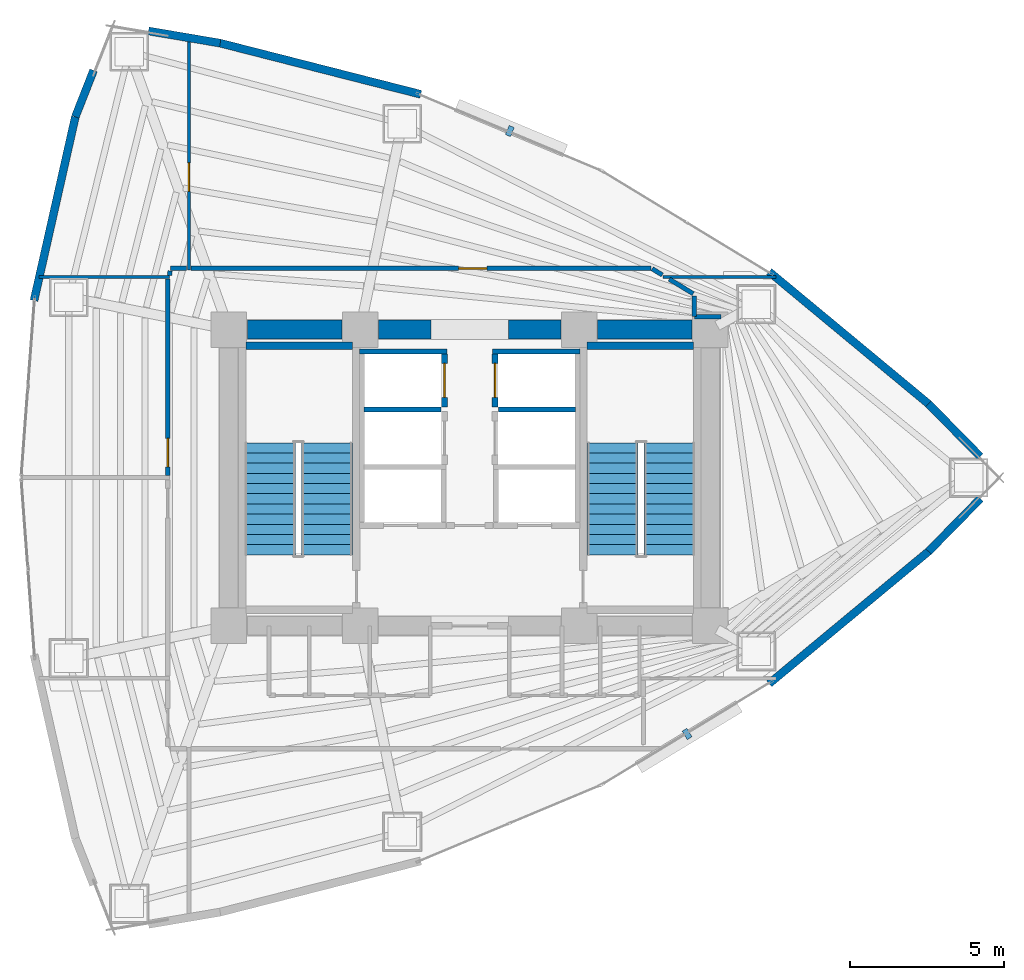
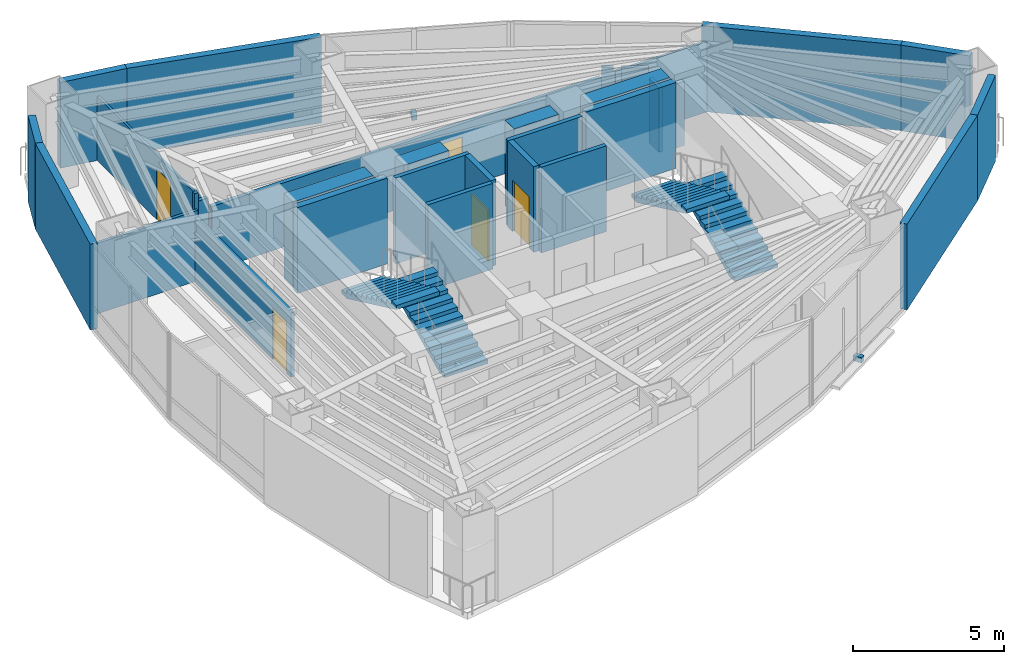
# One storey, part 14 of 16: 31 walls, 5 doors, 4 stair flights, 2 discrete accessories, 5 openings, 2 elements without a shape of their own.
"""IFC4 building model written with IfcOpenShell, lengths in metres."""

from ifc_helpers import new_model, si_unit, direction, frame, frame_2d, origin, origin_2d, place, context, subcontext, project, spatial, polyline, rectangle, outline, extrude, material, layer, layer_set, type_object, element, fill, aggregate, save


model = new_model("IFC4")

# Units and contexts
model_context = context("Model", 3, precision=1e-05, world=origin(), true_north=direction((0.0, 1.0)))
body_context = subcontext(model_context, "Body", "Model", "MODEL_VIEW")
ifc_project = project(units=[si_unit("LENGTHUNIT", "METRE"), si_unit("AREAUNIT", "SQUARE_METRE"), si_unit("VOLUMEUNIT", "CUBIC_METRE"), si_unit("PLANEANGLEUNIT", "RADIAN"), si_unit("MASSUNIT", "GRAM", prefix="KILO")], contexts=[model_context])

# Site, building, storey
site_placement = place(None, origin())
site = spatial("IfcSite", under=ifc_project, at=site_placement, CompositionType="ELEMENT")
building_placement = place(site_placement, origin())
building = spatial("IfcBuilding", under=site, at=building_placement, Name="Menara Vayukalpa", CompositionType="ELEMENT")
storey_placement = place(building_placement, frame((0.0, 0.0, 72.239990234375)))
storey = spatial("IfcBuildingStorey", under=building, at=storey_placement, Name="L17", CompositionType="ELEMENT", Elevation=72.239990234375)

# Walls
ifc_material_1 = material(Name="Concrete C70/85", Category="concrete")
ifc_layer_1 = layer(ifc_material_1, 0.60009765625)
ifc_layer_set_1 = layer_set([ifc_layer_1], Name="Concrete C70/85")
wall_type_1 = type_object("IfcWallType", Name="WAL-CW600", PredefinedType="SHEAR", material=ifc_layer_set_1)
wall_1_placement = place(storey_placement, frame((18.39501953125, 26.800048828125, 0.0), z_axis=(0.0, 0.0, 1.0), x_axis=(1.0, 0.0, 0.0)))
element("IfcWall", 1, at=wall_1_placement, inside=storey, type_object=wall_type_1, Name="L17 Buttressed Core Shear Wall CWN1", PredefinedType="SHEAR", context=body_context, shape_type="SweptSolid", body=[
    extrude(rectangle(XDim=3.06005859375, YDim=0.60009765625, at=frame_2d((1.530029296875, 0.0))), origin(), (0.0, 0.0, 1.0), 3.469970703125),
])
wall_2_placement = place(storey_placement, frame((22.64501953125, 26.800048828125, 0.0), z_axis=(0.0, 0.0, 1.0), x_axis=(1.0, 0.0, 0.0)))
element("IfcWall", 2, at=wall_2_placement, inside=storey, type_object=wall_type_1, Name="L17 Buttressed Core Shear Wall CWN2", PredefinedType="SHEAR", context=body_context, shape_type="SweptSolid", body=[
    extrude(rectangle(XDim=1.705078125, YDim=0.60009765625, at=frame_2d((0.8525390625, 0.0))), origin(), (0.0, 0.0, 1.0), 3.469970703125),
])
wall_3_placement = place(storey_placement, frame((26.85009765625, 26.800048828125, 0.0), z_axis=(0.0, 0.0, 1.0), x_axis=(1.0, 0.0, 0.0)))
element("IfcWall", 3, at=wall_3_placement, inside=storey, type_object=wall_type_1, Name="L17 Buttressed Core Shear Wall CWN3", PredefinedType="SHEAR", context=body_context, shape_type="SweptSolid", body=[
    extrude(rectangle(XDim=1.704833984375, YDim=0.60009765625, at=frame_2d((0.8525390625, 0.0))), origin(), (0.0, 0.0, 1.0), 3.469970703125),
])
wall_4_placement = place(storey_placement, frame((29.7451171875, 26.800048828125, 0.0), z_axis=(0.0, 0.0, 1.0), x_axis=(1.0, 0.0, 0.0)))
element("IfcWall", 4, at=wall_4_placement, inside=storey, type_object=wall_type_1, Name="L17 Buttressed Core Shear Wall CWN4", PredefinedType="SHEAR", context=body_context, shape_type="SweptSolid", body=[
    extrude(rectangle(XDim=3.059814453125, YDim=0.60009765625, at=frame_2d((1.52978515625, 0.0))), origin(), (0.0, 0.0, 1.0), 3.469970703125),
])
ifc_material_2 = material(Name="Insulated Precast Concrete C40/50", Category="concrete")
ifc_layer_2 = layer(ifc_material_2, 0.260009765625)
ifc_layer_set_2 = layer_set([ifc_layer_2], Name="Insulated Precast Concrete C40/50")
wall_type_2 = type_object("IfcWallType", Name="WAL-EXT260", PredefinedType="PARTITIONING", material=ifc_layer_set_2)
for number, where, z_axis, x_axis, name in (
    (5, (42.14111328125, 21.316650390625, 0.0), (0.0, 0.0, 1.0), (-0.700603293449, -0.713550996922, 0.0), "L17 Perimeter Terracotta Pier Wall 01"),
    (6, (40.46337890625, 24.39208984375, 0.0), (0.0, 0.0, 1.0), (0.700603293449, -0.713550996922, 0.0), "L17 Perimeter Terracotta Pier Wall 02"),
):
    element("IfcWall", number, at=place(storey_placement, frame(where, z_axis=z_axis, x_axis=x_axis)), inside=storey, type_object=wall_type_2, Name=name, PredefinedType="PARTITIONING", context=body_context, shape_type="SweptSolid", body=[
        extrude(rectangle(XDim=2.394775390625, YDim=0.260009765625, at=frame_2d((1.197265625, 0.0))), origin(), (0.0, 0.0, 1.0), 3.469970703125),
    ])
wall_5_placement = place(storey_placement, frame((35.30126953125, 28.672119140625, 0.0), z_axis=(0.0, 0.0, 1.0), x_axis=(0.76975316947, -0.638341646841, 0.0)))
element("IfcWall", 7, at=wall_5_placement, inside=storey, type_object=wall_type_2, Name="L17 Perimeter Terracotta Pier Wall 03", PredefinedType="PARTITIONING", context=body_context, shape_type="SweptSolid", body=[
    extrude(rectangle(XDim=6.718017578125, YDim=0.260009765625, at=frame_2d((3.35888671875, 0.0))), origin(), (0.0, 0.0, 1.0), 3.469970703125),
])
wall_6_placement = place(storey_placement, frame((17.504638671875, 36.08056640625, 0.0), z_axis=(0.0, 0.0, 1.0), x_axis=(0.968981437296, -0.247133514876, 0.0)))
element("IfcWall", 8, at=wall_6_placement, inside=storey, type_object=wall_type_2, Name="L17 Perimeter Terracotta Pier Wall 06", PredefinedType="PARTITIONING", context=body_context, shape_type="SweptSolid", body=[
    extrude(rectangle(XDim=6.717529296875, YDim=0.260009765625, at=frame_2d((3.35888671875, 0.0))), origin(), (0.0, 0.0, 1.0), 3.469970703125),
])
wall_7_placement = place(storey_placement, frame((15.19287109375, 36.472412109375, 0.0), z_axis=(0.0, 0.0, 1.0), x_axis=(0.985905269947, -0.167304508875, 0.0)))
element("IfcWall", 9, at=wall_7_placement, inside=storey, type_object=wall_type_2, Name="L17 Perimeter Terracotta Pier Wall 07", PredefinedType="PARTITIONING", context=body_context, shape_type="SweptSolid", body=[
    extrude(rectangle(XDim=2.356689453125, YDim=0.260009765625, at=frame_2d((1.17822265625, 0.0))), origin(), (0.0, 0.0, 1.0), 3.469970703125),
])
wall_8_placement = place(storey_placement, frame((12.822021484375, 33.69140625, 0.0), z_axis=(0.0, 0.0, 1.0), x_axis=(0.365488551504, 0.930815835018, 0.0)))
element("IfcWall", 10, at=wall_8_placement, inside=storey, type_object=wall_type_2, Name="L17 Perimeter Terracotta Pier Wall 08", PredefinedType="PARTITIONING", context=body_context, shape_type="SweptSolid", body=[
    extrude(rectangle(XDim=1.61376953125, YDim=0.260009765625, at=frame_2d((0.806884765625, 0.0))), origin(), (0.0, 0.0, 1.0), 3.469970703125),
])
wall_9_placement = place(storey_placement, frame((11.482421875, 27.73828125, 0.0), z_axis=(0.0, 0.0, 1.0), x_axis=(0.219535044336, 0.975604614743, 0.0)))
element("IfcWall", 11, at=wall_9_placement, inside=storey, type_object=wall_type_2, Name="L17 Perimeter Terracotta Pier Wall 09", PredefinedType="PARTITIONING", context=body_context, shape_type="SweptSolid", body=[
    extrude(rectangle(XDim=6.10205078125, YDim=0.260009765625, at=frame_2d((3.051025390625, 0.0))), origin(), (0.0, 0.0, 1.0), 3.469970703125),
])
wall_10_placement = place(storey_placement, frame((40.472412109375, 19.6162109375, 0.0), z_axis=(0.0, 0.0, 1.0), x_axis=(-0.76975316947, -0.638341646841, 0.0)))
element("IfcWall", 12, at=wall_10_placement, inside=storey, type_object=wall_type_2, Name="L17 Perimeter Terracotta Pier Wall 18", PredefinedType="PARTITIONING", context=body_context, shape_type="SweptSolid", body=[
    extrude(rectangle(XDim=6.718017578125, YDim=0.260009765625, at=frame_2d((3.35888671875, 0.0))), origin(), (0.0, 0.0, 1.0), 3.469970703125),
])
ifc_material_3 = material(Name="Lightweight Concrete Blockwork C16/20", Category="masonry")
ifc_layer_3 = layer(ifc_material_3, 0.159912109375)
ifc_layer_set_3 = layer_set([ifc_layer_3], Name="Lightweight Concrete Blockwork C16/20")
wall_type_3 = type_object("IfcWallType", Name="WAL-FR150", PredefinedType="PARTITIONING", material=ifc_layer_set_3)
wall_11_placement = place(storey_placement, frame((22.179931640625, 24.215087890625, 0.0), z_axis=(0.0, 0.0, 1.0), x_axis=(1.0, 0.0, 0.0)))
element("IfcWall", 13, at=wall_11_placement, inside=storey, type_object=wall_type_3, Name="L17 Interior Partition IW-L17-SHM-W23", PredefinedType="PARTITIONING", context=body_context, shape_type="SweptSolid", body=[
    extrude(rectangle(XDim=2.489990234375, YDim=0.159912109375, at=frame_2d((1.2451171875, 0.0))), origin(), (0.0, 0.0, 1.0), 3.469970703125),
])
wall_12_placement = place(storey_placement, frame((22.030029296875, 26.0849609375, 0.0), z_axis=(0.0, 0.0, 1.0), x_axis=(1.0, 0.0, 0.0)))
element("IfcWall", 14, at=wall_12_placement, inside=storey, type_object=wall_type_3, Name="L17 Interior Partition IW-L17-SHM-W3N", PredefinedType="PARTITIONING", context=body_context, shape_type="SweptSolid", body=[
    extrude(rectangle(XDim=2.830078125, YDim=0.159912109375, at=frame_2d((1.4150390625, 0.0))), origin(), (0.0, 0.0, 1.0), 3.469970703125),
])
wall_13_placement = place(storey_placement, frame((26.530029296875, 24.215087890625, 0.0), z_axis=(0.0, 0.0, 1.0), x_axis=(1.0, 0.0, 0.0)))
element("IfcWall", 15, at=wall_13_placement, inside=storey, type_object=wall_type_3, Name="L17 Interior Partition IW-L17-SHM-E32", PredefinedType="PARTITIONING", context=body_context, shape_type="SweptSolid", body=[
    extrude(rectangle(XDim=2.489990234375, YDim=0.159912109375, at=frame_2d((1.2451171875, 0.0))), origin(), (0.0, 0.0, 1.0), 3.469970703125),
])
wall_14_placement = place(storey_placement, frame((26.340087890625, 26.0849609375, 0.0), z_axis=(0.0, 0.0, 1.0), x_axis=(1.0, 0.0, 0.0)))
element("IfcWall", 16, at=wall_14_placement, inside=storey, type_object=wall_type_3, Name="L17 Interior Partition IW-L17-SHM-E2N", PredefinedType="PARTITIONING", context=body_context, shape_type="SweptSolid", body=[
    extrude(rectangle(XDim=2.829833984375, YDim=0.159912109375, at=frame_2d((1.4150390625, 0.0))), origin(), (0.0, 0.0, 1.0), 3.469970703125),
])

# Wall, opening, door
ifc_material_4 = material(Name="Lightweight Concrete Blockwork C16/20", Category="masonry")
ifc_layer_4 = layer(ifc_material_4, 0.199951171875)
ifc_layer_set_4 = layer_set([ifc_layer_4], Name="Lightweight Concrete Blockwork C16/20")
wall_type_4 = type_object("IfcWallType", Name="WAL-FR200", PredefinedType="PARTITIONING", material=ifc_layer_set_4)
wall_15_placement = place(storey_placement, frame((24.780029296875, 24.2900390625, 0.0), z_axis=(0.0, 0.0, 1.0), x_axis=(0.0, 1.0, 0.0)))
wall_15 = element("IfcWall", 17, at=wall_15_placement, inside=storey, type_object=wall_type_4, Name="L17 Interior Partition IW-L17-SH-W3", PredefinedType="PARTITIONING", context=body_context, shape_type="SweptSolid", body=[
    extrude(rectangle(XDim=1.719970703125, YDim=0.199951171875, at=frame_2d((0.85986328125, 0.0))), origin(), (0.0, 0.0, 1.0), 3.469970703125),
])
opening_1_placement = place(wall_15_placement, frame((0.31005859375, 0.0, 0.0)))
opening_1 = element("IfcOpeningElement", 18, at=opening_1_placement, cuts=wall_15, Name="Opening LD1", PredefinedType="OPENING", context=body_context, shape_type="SweptSolid", body=[
    extrude(rectangle(XDim=1.10009765625, YDim=2.080078125, at=frame_2d((0.550048828125, 1.0400390625))), frame((0.0, 0.10986328125, 0.0), z_axis=(0.0, -1.0, 0.0), x_axis=(1.0, 0.0, 0.0)), (0.0, 0.0, 1.0), 0.219970703125),
])
ifc_material_5 = material(Name="Brushed Stainless Steel 316 Lift Door", Category="steel")
door_type_1 = type_object("IfcDoorType", Name="DR-LD110", OperationType="NOTDEFINED", PredefinedType="DOOR", material=ifc_material_5)
door_1_placement = place(opening_1_placement, origin())
door_1 = element("IfcDoor", 19, at=door_1_placement, inside=storey, type_object=door_type_1, Name="L17 Interior Door DR-L17-LD-W3", OperationType="DOUBLE_DOOR_SLIDING", OverallHeight=2.080078125, OverallWidth=1.10009765625, PredefinedType="DOOR", context=body_context, shape_type="SweptSolid", body=[
    extrude(rectangle(XDim=1.10009765625, YDim=2.080078125, at=frame_2d((0.550048828125, 1.0400390625))), frame((0.0, 0.02490234375, 0.0), z_axis=(0.0, -1.0, 0.0), x_axis=(1.0, 0.0, 0.0)), (0.0, 0.0, 1.0), 0.050048828125),
])
fill(opening_1, door_1)

wall_16_placement = place(storey_placement, frame((26.419921875, 24.2900390625, 0.0), z_axis=(0.0, 0.0, 1.0), x_axis=(0.0, 1.0, 0.0)))
wall_16 = element("IfcWall", 20, at=wall_16_placement, inside=storey, type_object=wall_type_4, Name="L17 Interior Partition IW-L17-SH-E2", PredefinedType="PARTITIONING", context=body_context, shape_type="SweptSolid", body=[
    extrude(rectangle(XDim=1.719970703125, YDim=0.199951171875, at=frame_2d((0.85986328125, 0.0))), origin(), (0.0, 0.0, 1.0), 3.469970703125),
])
opening_2_placement = place(wall_16_placement, frame((0.31005859375, 0.0, 0.0)))
opening_2 = element("IfcOpeningElement", 21, at=opening_2_placement, cuts=wall_16, Name="Opening LD1", PredefinedType="OPENING", context=body_context, shape_type="SweptSolid", body=[
    extrude(rectangle(XDim=1.10009765625, YDim=2.080078125, at=frame_2d((0.550048828125, 1.0400390625))), frame((0.0, 0.10986328125, 0.0), z_axis=(0.0, -1.0, 0.0), x_axis=(1.0, 0.0, 0.0)), (0.0, 0.0, 1.0), 0.219970703125),
])
door_2_placement = place(opening_2_placement, origin())
door_2 = element("IfcDoor", 22, at=door_2_placement, inside=storey, type_object=door_type_1, Name="L17 Interior Door DR-L17-LD-E2", OperationType="DOUBLE_DOOR_SLIDING", OverallHeight=2.080078125, OverallWidth=1.10009765625, PredefinedType="DOOR", context=body_context, shape_type="SweptSolid", body=[
    extrude(rectangle(XDim=1.10009765625, YDim=2.080078125, at=frame_2d((0.550048828125, 1.0400390625))), frame((0.0, 0.02490234375, 0.0), z_axis=(0.0, -1.0, 0.0), x_axis=(1.0, 0.0, 0.0)), (0.0, 0.0, 1.0), 0.050048828125),
])
fill(opening_2, door_2)

ifc_material_6 = material(Name="Glazed Demountable Office Partition", Category="glass")
ifc_layer_5 = layer(ifc_material_6, 0.094970703125)
ifc_layer_set_5 = layer_set([ifc_layer_5], Name="Glazed Demountable Office Partition")
wall_type_5 = type_object("IfcWallType", Name="WAL-PT100", PredefinedType="PARTITIONING", material=ifc_layer_set_5)
wall_17_placement = place(storey_placement, frame((16.5, 28.72998046875, 0.0), z_axis=(0.0, 0.0, 1.0), x_axis=(0.0, 1.0, 0.0)))
wall_17 = element("IfcWall", 23, at=wall_17_placement, inside=storey, type_object=wall_type_5, Name="L17 Interior Partition IW-L17-RDIV02", PredefinedType="PARTITIONING", context=body_context, shape_type="SweptSolid", body=[
    extrude(rectangle(XDim=7.53076171875, YDim=0.094970703125, at=frame_2d((3.765380859375, 0.0))), origin(), (0.0, 0.0, 1.0), 2.60009765625),
])
opening_3_placement = place(wall_17_placement, frame((2.549072265625, 0.0, 0.0)))
opening_3 = element("IfcOpeningElement", 24, at=opening_3_placement, cuts=wall_17, Name="Opening ID6", PredefinedType="OPENING", context=body_context, shape_type="SweptSolid", body=[
    extrude(rectangle(XDim=0.919921875, YDim=2.050048828125, at=frame_2d((0.4599609375, 1.02490234375))), frame((0.0, 0.057373046875, 0.0), z_axis=(0.0, -1.0, 0.0), x_axis=(1.0, 0.0, 0.0)), (0.0, 0.0, 1.0), 0.114990234375),
])
ifc_material_7 = material(Name="Acoustic Hardwood Veneer Timber Door", Category="wood")
door_type_2 = type_object("IfcDoorType", Name="DR-INT92", OperationType="NOTDEFINED", PredefinedType="DOOR", material=ifc_material_7)
door_3_placement = place(opening_3_placement, origin())
door_3 = element("IfcDoor", 25, at=door_3_placement, inside=storey, type_object=door_type_2, Name="L17 Interior Door DR-L17-STE07", OperationType="SINGLE_SWING_RIGHT", OverallHeight=2.050048828125, OverallWidth=0.919921875, PredefinedType="DOOR", context=body_context, shape_type="SweptSolid", body=[
    extrude(rectangle(XDim=0.919921875, YDim=2.050048828125, at=frame_2d((0.4599609375, 1.02490234375))), frame((0.0, 0.02490234375, 0.0), z_axis=(0.0, -1.0, 0.0), x_axis=(1.0, 0.0, 0.0)), (0.0, 0.0, 1.0), 0.050048828125),
])
fill(opening_3, door_3)

# Walls
wall_18_placement = place(storey_placement, frame((31.855712890625, 28.5, 0.0), z_axis=(0.0, 0.0, 1.0), x_axis=(1.0, 0.0, 0.0)))
element("IfcWall", 26, at=wall_18_placement, inside=storey, type_object=wall_type_5, Name="L17 Interior Partition IW-L17-RDIV06", PredefinedType="PARTITIONING", context=body_context, shape_type="SweptSolid", body=[
    extrude(rectangle(XDim=3.668701171875, YDim=0.094970703125, at=frame_2d((1.83447265625, 0.0))), origin(), (0.0, 0.0, 1.0), 2.85009765625),
])
ifc_material_8 = material(Name="Acoustic Mineral Stud Partition", Category="masonry")
ifc_layer_6 = layer(ifc_material_8, 0.110107421875)
ifc_layer_set_6 = layer_set([ifc_layer_6], Name="Acoustic Mineral Stud Partition")
wall_type_6 = type_object("IfcWallType", Name="WAL-PT110", PredefinedType="PARTITIONING", material=ifc_layer_set_6)
wall_19_placement = place(storey_placement, frame((11.6435546875, 28.5, 0.0), z_axis=(0.0, 0.0, 1.0), x_axis=(1.0, 0.0, 0.0)))
element("IfcWall", 27, at=wall_19_placement, inside=storey, type_object=wall_type_6, Name="L17 Interior Partition IW-L17-RDIV05", PredefinedType="PARTITIONING", context=body_context, shape_type="SweptSolid", body=[
    extrude(rectangle(XDim=4.2265625, YDim=0.110107421875, at=frame_2d((2.11328125, 0.0))), origin(), (0.0, 0.0, 1.0), 2.85009765625),
])
ifc_material_9 = material(Name="Gypsum Drywall Acoustic Stud Assembly", Category="masonry")
ifc_layer_7 = layer(ifc_material_9, 0.14501953125)
ifc_layer_set_7 = layer_set([ifc_layer_7], Name="Gypsum Drywall Acoustic Stud Assembly")
wall_type_7 = type_object("IfcWallType", Name="WAL-PT150", PredefinedType="PARTITIONING", material=ifc_layer_set_7)
wall_20_placement = place(storey_placement, frame((33.739990234375, 27.219970703125, 0.0), z_axis=(0.0, 0.0, 1.0), x_axis=(-1.0, 0.0, 0.0)))
element("IfcWall", 28, at=wall_20_placement, inside=storey, type_object=wall_type_7, Name="L17 Interior Partition IW-L17-CRM05-1", PredefinedType="PARTITIONING", context=body_context, shape_type="SweptSolid", body=[
    extrude(rectangle(XDim=0.860107421875, YDim=0.14501953125, at=frame_2d((0.43017578125, 0.0))), origin(), (0.0, 0.0, 1.0), 2.60009765625),
])
wall_21_placement = place(storey_placement, frame((32.8798828125, 27.219970703125, 0.0), z_axis=(0.0, 0.0, 1.0), x_axis=(0.0, 1.0, 0.0)))
element("IfcWall", 29, at=wall_21_placement, inside=storey, type_object=wall_type_7, Name="L17 Interior Partition IW-L17-CRM05-2", PredefinedType="PARTITIONING", context=body_context, shape_type="SweptSolid", body=[
    extrude(rectangle(XDim=0.671142578125, YDim=0.14501953125, at=frame_2d((0.33544921875, 0.0))), origin(), (0.0, 0.0, 1.0), 2.60009765625),
])
wall_22_placement = place(storey_placement, frame((32.841552734375, 27.959716796875, 0.0), z_axis=(0.0, 0.0, 1.0), x_axis=(-0.854770437211, 0.519006261686, 0.0)))
element("IfcWall", 30, at=wall_22_placement, inside=storey, type_object=wall_type_7, Name="L17 Interior Partition IW-L17-CRM05-3", PredefinedType="PARTITIONING", context=body_context, shape_type="SweptSolid", body=[
    extrude(rectangle(XDim=0.906005859375, YDim=0.14501953125, at=frame_2d((0.453125, 0.0))), origin(), (0.0, 0.0, 1.0), 3.0),
])
wall_23_placement = place(storey_placement, frame((31.83984375, 28.568115234375, 0.0), z_axis=(0.0, 0.0, 1.0), x_axis=(-0.854857682939, 0.518862546269, 0.0)))
element("IfcWall", 31, at=wall_23_placement, inside=storey, type_object=wall_type_7, Name="L17 Interior Partition IW-L17-CRM06-1", PredefinedType="PARTITIONING", context=body_context, shape_type="SweptSolid", body=[
    extrude(rectangle(XDim=0.3857421875, YDim=0.14501953125, at=frame_2d((0.19287109375, 0.0))), origin(), (0.0, 0.0, 1.0), 3.0),
])

# Wall, opening, door
wall_24_placement = place(storey_placement, frame((31.468505859375, 28.780029296875, 0.0), z_axis=(0.0, 0.0, 1.0), x_axis=(-1.0, 0.0, 0.0)))
wall_24 = element("IfcWall", 32, at=wall_24_placement, inside=storey, type_object=wall_type_7, Name="L17 Interior Partition IW-L17-CRM06-2", PredefinedType="PARTITIONING", context=body_context, shape_type="SweptSolid", body=[
    extrude(rectangle(XDim=14.8984375, YDim=0.14501953125, at=frame_2d((7.44921875, 0.0))), origin(), (0.0, 0.0, 1.0), 2.60009765625),
])
opening_4_placement = place(wall_24_placement, frame((5.31201171875, 0.0, 0.0)))
opening_4 = element("IfcOpeningElement", 33, at=opening_4_placement, cuts=wall_24, Name="Opening ID6", PredefinedType="OPENING", context=body_context, shape_type="SweptSolid", body=[
    extrude(rectangle(XDim=0.919921875, YDim=2.050048828125, at=frame_2d((0.4599609375, 1.02490234375))), frame((0.0, 0.08251953125, 0.0), z_axis=(0.0, -1.0, 0.0), x_axis=(1.0, 0.0, 0.0)), (0.0, 0.0, 1.0), 0.1650390625),
])
door_4_placement = place(opening_4_placement, origin())
door_4 = element("IfcDoor", 34, at=door_4_placement, inside=storey, type_object=door_type_2, Name="L17 Interior Door DR-L17-RM06", OperationType="SINGLE_SWING_RIGHT", OverallHeight=2.050048828125, OverallWidth=0.919921875, PredefinedType="DOOR", context=body_context, shape_type="SweptSolid", body=[
    extrude(rectangle(XDim=0.919921875, YDim=2.050048828125, at=frame_2d((0.4599609375, 1.02490234375))), frame((0.0, 0.02490234375, 0.0), z_axis=(0.0, -1.0, 0.0), x_axis=(1.0, 0.0, 0.0)), (0.0, 0.0, 1.0), 0.050048828125),
])
fill(opening_4, door_4)

# Wall
wall_25_placement = place(storey_placement, frame((16.429931640625, 28.780029296875, 0.0), z_axis=(0.0, 0.0, 1.0), x_axis=(-1.0, 0.0, 0.0)))
element("IfcWall", 35, at=wall_25_placement, inside=storey, type_object=wall_type_7, Name="L17 Interior Partition IW-L17-CRM07-1", PredefinedType="PARTITIONING", context=body_context, shape_type="SweptSolid", body=[
    extrude(rectangle(XDim=0.530029296875, YDim=0.14501953125, at=frame_2d((0.26513671875, 0.0))), origin(), (0.0, 0.0, 1.0), 3.0),
])

# Wall, opening, door
wall_26_placement = place(storey_placement, frame((15.820068359375, 28.429931640625, 0.0), z_axis=(0.0, 0.0, 1.0), x_axis=(0.0, -1.0, 0.0)))
wall_26 = element("IfcWall", 36, at=wall_26_placement, inside=storey, type_object=wall_type_7, Name="L17 Interior Partition IW-L17-CRM08-1", PredefinedType="PARTITIONING", context=body_context, shape_type="SweptSolid", body=[
    extrude(rectangle(XDim=6.35986328125, YDim=0.14501953125, at=frame_2d((3.179931640625, 0.0))), origin(), (0.0, 0.0, 1.0), 2.60009765625),
])
opening_5_placement = place(wall_26_placement, frame((5.159912109375, 0.0, 0.0)))
opening_5 = element("IfcOpeningElement", 37, at=opening_5_placement, cuts=wall_26, Name="Opening ID6", PredefinedType="OPENING", context=body_context, shape_type="SweptSolid", body=[
    extrude(rectangle(XDim=0.919921875, YDim=2.050048828125, at=frame_2d((0.4599609375, 1.02490234375))), frame((0.0, 0.08251953125, 0.0), z_axis=(0.0, -1.0, 0.0), x_axis=(1.0, 0.0, 0.0)), (0.0, 0.0, 1.0), 0.1650390625),
])
door_5_placement = place(opening_5_placement, origin())
door_5 = element("IfcDoor", 38, at=door_5_placement, inside=storey, type_object=door_type_2, Name="L17 Interior Door DR-L17-RM08", OperationType="SINGLE_SWING_LEFT", OverallHeight=2.050048828125, OverallWidth=0.919921875, PredefinedType="DOOR", context=body_context, shape_type="SweptSolid", body=[
    extrude(rectangle(XDim=0.919921875, YDim=2.050048828125, at=frame_2d((0.4599609375, 1.02490234375))), frame((0.0, 0.02490234375, 0.0), z_axis=(0.0, -1.0, 0.0), x_axis=(1.0, 0.0, 0.0)), (0.0, 0.0, 1.0), 0.050048828125),
])
fill(opening_5, door_5)

# Walls
wall_27_placement = place(storey_placement, frame((15.8916015625, 28.700439453125, 0.0), z_axis=(0.0, 0.0, 1.0), x_axis=(-0.107955324157, -0.994155746343, 0.0)))
element("IfcWall", 39, at=wall_27_placement, inside=storey, type_object=wall_type_7, Name="L17 Interior Partition IW-L17-CRM07-1-R1", PredefinedType="PARTITIONING", context=body_context, shape_type="SweptSolid", body=[
    extrude(rectangle(XDim=0.151611328125, YDim=0.14501953125, at=frame_2d((0.07568359375, 0.0))), origin(), (0.0, 0.0, 1.0), 3.469970703125),
])
ifc_material_10 = material(Name="Concrete C50/60", Category="concrete")
ifc_layer_8 = layer(ifc_material_10, 0.25)
ifc_layer_set_8 = layer_set([ifc_layer_8], Name="Concrete C50/60")
wall_type_8 = type_object("IfcWallType", Name="WAL-SW250", PredefinedType="SHEAR", material=ifc_layer_set_8)
for number, where, z_axis, x_axis, name in (
    (40, (18.35400390625, 26.27490234375, 0.0), (0.0, 0.0, 1.0), (1.0, 0.0, 0.0), "L17 ST1 Structural Stair Shaft Wall N"),
    (41, (29.39990234375, 26.27490234375, 0.0), (0.0, 0.0, 1.0), (1.0, 0.0, 0.0), "L17 ST2 Structural Stair Shaft Wall N"),
):
    element("IfcWall", number, at=place(storey_placement, frame(where, z_axis=z_axis, x_axis=x_axis)), inside=storey, type_object=wall_type_8, Name=name, PredefinedType="SHEAR", context=body_context, shape_type="SweptSolid", body=[
        extrude(rectangle(XDim=3.446044921875, YDim=0.25, at=frame_2d((1.72314453125, 0.0))), origin(), (0.0, 0.0, 1.0), 3.469970703125),
    ])

# Stair, stair flights
ifc_material_11 = material(Name="Precast Concrete C40/50", Category="concrete")
stair_type = type_object("IfcStairType", Name="STR-T04", PredefinedType="DOUBLE_RETURN_STAIR", material=ifc_material_11)
stair_1_placement = place(storey_placement, origin())
stair_1 = element("IfcStair", 42, at=stair_1_placement, inside=storey, type_object=stair_type, Name="L17 Core Exit Stair ST-1", PredefinedType="DOUBLE_RETURN_STAIR")
ifc_material_12 = material(Name="Precast Concrete C40/50", Category="concrete")
stair_flight_type = type_object("IfcStairFlightType", Name="STF-T04", PredefinedType="STRAIGHT", material=ifc_material_12)
stair_flight_1_placement = place(storey_placement, frame((20.97509765625, 19.5, 0.0), z_axis=(0.0, 0.0, 1.0), x_axis=(0.0, 1.0, 0.0)))
stair_flight_1 = element("IfcStairFlight", 43, at=stair_flight_1_placement, type_object=stair_flight_type, Name="ST-1 flight 1", NumberOfRisers=12, NumberOfTreads=11, PredefinedType="STRAIGHT", RiserHeight=0.155, TreadLength=0.33, context=body_context, shape_type="SweptSolid", body=[
    extrude(outline(polyline([(0.0, 0.0), (0.0, 0.155029296875), (0.330078125, 0.155029296875), (0.330078125, 0.31005859375), (0.659912109375, 0.31005859375), (0.659912109375, 0.465087890625), (0.989990234375, 0.465087890625), (0.989990234375, 0.6201171875), (1.320068359375, 0.6201171875), (1.320068359375, 0.77490234375), (1.64990234375, 0.77490234375), (1.64990234375, 0.929931640625), (1.97998046875, 0.929931640625), (1.97998046875, 1.0849609375), (2.31005859375, 1.0849609375), (2.31005859375, 1.239990234375), (2.639892578125, 1.239990234375), (2.639892578125, 1.39501953125), (2.969970703125, 1.39501953125), (2.969970703125, 1.550048828125), (3.300048828125, 1.550048828125), (3.300048828125, 1.705078125), (3.6298828125, 1.705078125), (3.6298828125, 1.860107421875), (3.6298828125, 1.539306640625), (0.3525390625, 0.0), (0.0, 0.0)])), frame((0.0, 0.824951171875, 0.0), z_axis=(0.0, -1.0, 0.0), x_axis=(1.0, 0.0, 0.0)), (0.0, 0.0, 1.0), 1.64990234375),
])
stair_flight_2_placement = place(storey_placement, frame((19.125, 23.1298828125, 1.860107421875), z_axis=(0.0, 0.0, 1.0), x_axis=(0.0, -1.0, 0.0)))
stair_flight_2 = element("IfcStairFlight", 44, at=stair_flight_2_placement, type_object=stair_flight_type, Name="ST-1 flight 2", NumberOfRisers=12, NumberOfTreads=11, PredefinedType="STRAIGHT", RiserHeight=0.155, TreadLength=0.33, context=body_context, shape_type="SweptSolid", body=[
    extrude(outline(polyline([(0.0, 0.0), (0.0, 0.155029296875), (0.330078125, 0.155029296875), (0.330078125, 0.31005859375), (0.659912109375, 0.31005859375), (0.659912109375, 0.465087890625), (0.989990234375, 0.465087890625), (0.989990234375, 0.6201171875), (1.320068359375, 0.6201171875), (1.320068359375, 0.77490234375), (1.64990234375, 0.77490234375), (1.64990234375, 0.929931640625), (1.97998046875, 0.929931640625), (1.97998046875, 1.0849609375), (2.31005859375, 1.0849609375), (2.31005859375, 1.239990234375), (2.639892578125, 1.239990234375), (2.639892578125, 1.39501953125), (2.969970703125, 1.39501953125), (2.969970703125, 1.550048828125), (3.300048828125, 1.550048828125), (3.300048828125, 1.705078125), (3.6298828125, 1.705078125), (3.6298828125, 1.860107421875), (3.6298828125, 1.539306640625), (0.3525390625, 0.0), (0.0, 0.0)])), frame((0.0, 0.824951171875, 0.0), z_axis=(0.0, -1.0, 0.0), x_axis=(1.0, 0.0, 0.0)), (0.0, 0.0, 1.0), 1.64990234375),
])
aggregate(stair_1, [stair_flight_1, stair_flight_2])

stair_2_placement = place(storey_placement, origin())
stair_2 = element("IfcStair", 45, at=stair_2_placement, inside=storey, type_object=stair_type, Name="L17 Core Exit Stair ST-2", PredefinedType="DOUBLE_RETURN_STAIR")
stair_flight_3_placement = place(storey_placement, frame((32.074951171875, 19.5, 0.0), z_axis=(0.0, 0.0, 1.0), x_axis=(0.0, 1.0, 0.0)))
stair_flight_3 = element("IfcStairFlight", 46, at=stair_flight_3_placement, type_object=stair_flight_type, Name="ST-2 flight 1", NumberOfRisers=12, NumberOfTreads=11, PredefinedType="STRAIGHT", RiserHeight=0.155, TreadLength=0.33, context=body_context, shape_type="SweptSolid", body=[
    extrude(outline(polyline([(0.0, 0.0), (0.0, 0.155029296875), (0.330078125, 0.155029296875), (0.330078125, 0.31005859375), (0.659912109375, 0.31005859375), (0.659912109375, 0.465087890625), (0.989990234375, 0.465087890625), (0.989990234375, 0.6201171875), (1.320068359375, 0.6201171875), (1.320068359375, 0.77490234375), (1.64990234375, 0.77490234375), (1.64990234375, 0.929931640625), (1.97998046875, 0.929931640625), (1.97998046875, 1.0849609375), (2.31005859375, 1.0849609375), (2.31005859375, 1.239990234375), (2.639892578125, 1.239990234375), (2.639892578125, 1.39501953125), (2.969970703125, 1.39501953125), (2.969970703125, 1.550048828125), (3.300048828125, 1.550048828125), (3.300048828125, 1.705078125), (3.6298828125, 1.705078125), (3.6298828125, 1.860107421875), (3.6298828125, 1.539306640625), (0.3525390625, 0.0), (0.0, 0.0)])), frame((0.0, 0.824951171875, 0.0), z_axis=(0.0, -1.0, 0.0), x_axis=(1.0, 0.0, 0.0)), (0.0, 0.0, 1.0), 1.64990234375),
])
stair_flight_4_placement = place(storey_placement, frame((30.22509765625, 23.1298828125, 1.860107421875), z_axis=(0.0, 0.0, 1.0), x_axis=(0.0, -1.0, 0.0)))
stair_flight_4 = element("IfcStairFlight", 47, at=stair_flight_4_placement, type_object=stair_flight_type, Name="ST-2 flight 2", NumberOfRisers=12, NumberOfTreads=11, PredefinedType="STRAIGHT", RiserHeight=0.155, TreadLength=0.33, context=body_context, shape_type="SweptSolid", body=[
    extrude(outline(polyline([(0.0, 0.0), (0.0, 0.155029296875), (0.330078125, 0.155029296875), (0.330078125, 0.31005859375), (0.659912109375, 0.31005859375), (0.659912109375, 0.465087890625), (0.989990234375, 0.465087890625), (0.989990234375, 0.6201171875), (1.320068359375, 0.6201171875), (1.320068359375, 0.77490234375), (1.64990234375, 0.77490234375), (1.64990234375, 0.929931640625), (1.97998046875, 0.929931640625), (1.97998046875, 1.0849609375), (2.31005859375, 1.0849609375), (2.31005859375, 1.239990234375), (2.639892578125, 1.239990234375), (2.639892578125, 1.39501953125), (2.969970703125, 1.39501953125), (2.969970703125, 1.550048828125), (3.300048828125, 1.550048828125), (3.300048828125, 1.705078125), (3.6298828125, 1.705078125), (3.6298828125, 1.860107421875), (3.6298828125, 1.539306640625), (0.3525390625, 0.0), (0.0, 0.0)])), frame((0.0, 0.824951171875, 0.0), z_axis=(0.0, -1.0, 0.0), x_axis=(1.0, 0.0, 0.0)), (0.0, 0.0, 1.0), 1.64990234375),
])
aggregate(stair_2, [stair_flight_3, stair_flight_4])

# Discrete accessories
ifc_material_13 = material(Name="Stainless Steel 316 Sunshade Bracket", Category="steel")
discrete_accessory_type = type_object("IfcDiscreteAccessoryType", Name="ACC-BRK1", PredefinedType="BRACKET", material=ifc_material_13)
for number, where, z_axis, x_axis, name in (
    (48, (26.898193359375, 33.22900390625, -0.16015625), (0.0, 0.0, 1.0), (-0.922544824647, 0.385889940938, 0.0), "L17 Terracotta Sunshade Bracket 05"),
    (49, (32.6416015625, 13.69580078125, -0.16015625), (0.0, 0.0, 1.0), (0.85466730962, 0.519176068272, 0.0), "L17 Terracotta Sunshade Bracket 17"),
):
    element("IfcDiscreteAccessory", number, at=place(storey_placement, frame(where, z_axis=z_axis, x_axis=x_axis)), inside=storey, type_object=discrete_accessory_type, Name=name, PredefinedType="BRACKET", context=body_context, shape_type="SweptSolid", body=[
        extrude(rectangle(XDim=0.179931640625, YDim=0.320068359375, at=origin_2d()), origin(), (0.0, 0.0, 1.0), 0.219970703125),
    ])

save(model, "model.ifc")
